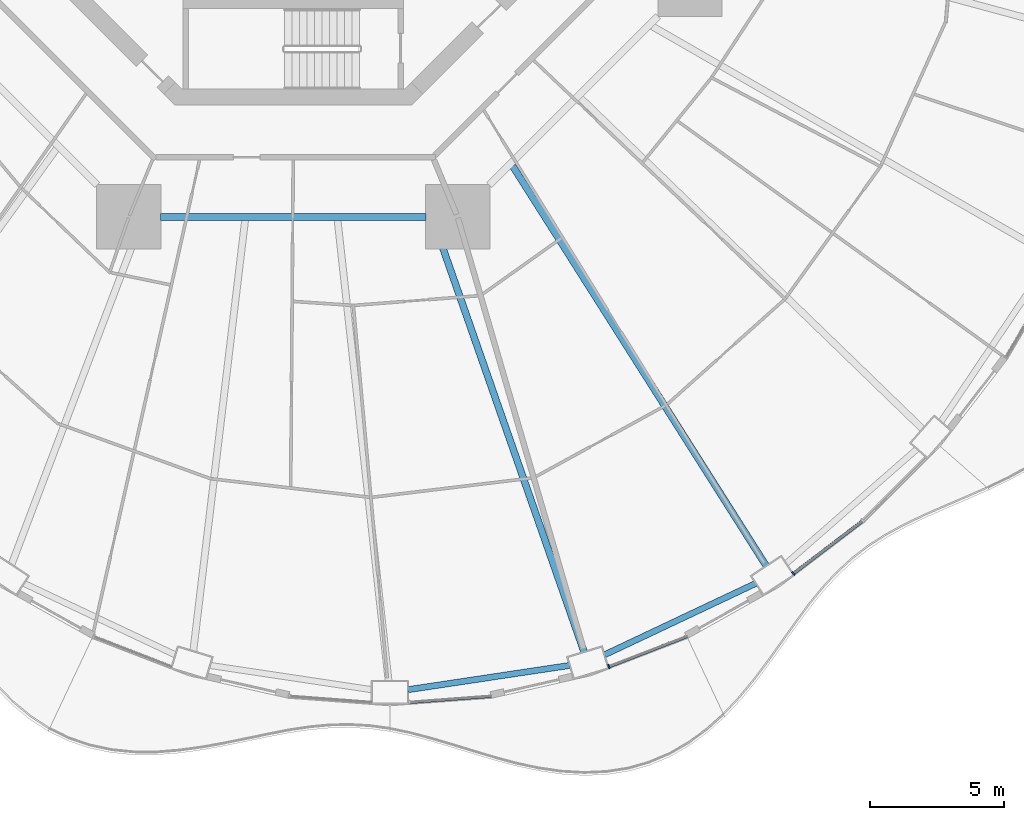
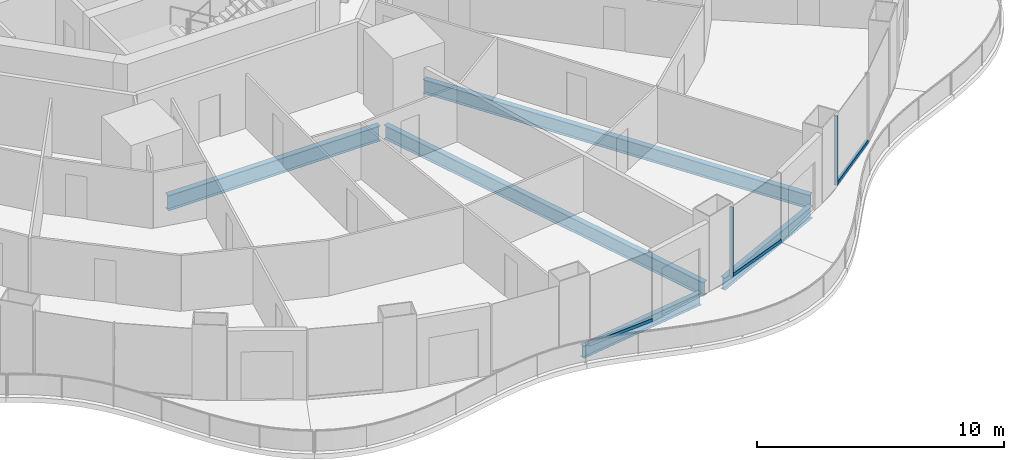
# One storey, part 4 of 23: 5 beams, 5 members, 3 elements without a shape of their own.
"""IFC4 building model written with IfcOpenShell, lengths in metres."""

from ifc_helpers import new_model, si_unit, direction, frame, origin, origin_2d, place, context, subcontext, project, spatial, rectangle, i_section, extrude, material, layer, layer_set, material_profile, profile_set, type_object, element, aggregate, save


model = new_model("IFC4")

# Units and contexts
model_context = context("Model", 3, precision=1e-05, world=origin(), true_north=direction((0.0, 1.0)))
body_context = subcontext(model_context, "Body", "Model", "MODEL_VIEW")
ifc_project = project(units=[si_unit("LENGTHUNIT", "METRE"), si_unit("AREAUNIT", "SQUARE_METRE"), si_unit("VOLUMEUNIT", "CUBIC_METRE"), si_unit("PLANEANGLEUNIT", "RADIAN"), si_unit("MASSUNIT", "GRAM", prefix="KILO")], contexts=[model_context])

# Site, building, storey
site_placement = place(None, origin())
site = spatial("IfcSite", under=ifc_project, at=site_placement, CompositionType="ELEMENT")
building_placement = place(site_placement, origin())
building = spatial("IfcBuilding", under=site, at=building_placement, Name="Nagisa Residences", CompositionType="ELEMENT")
storey_placement = place(building_placement, frame((0.0, 0.0, 56.60009765625)))
storey = spatial("IfcBuildingStorey", under=building, at=storey_placement, Name="L13", CompositionType="ELEMENT", Elevation=56.60009765625)

# Curtain wall, member
ifc_material_1 = material(Name="Concrete-coloured aluminium curtain wall system", Category="concrete")
ifc_layer = layer(ifc_material_1, 0.159912109375)
ifc_layer_set = layer_set([ifc_layer], Name="CW1 CURTAIN WALL")
curtain_wall_type = type_object("IfcCurtainWallType", Name="CW1 CURTAIN WALL", PredefinedType="NOTDEFINED", material=ifc_layer_set)
curtain_wall_1_placement = place(storey_placement, origin())
curtain_wall_1 = element("IfcCurtainWall", 1, at=curtain_wall_1_placement, inside=storey, type_object=curtain_wall_type, Name="cw:CW1:L13:38", PredefinedType="NOTDEFINED")
ifc_material_2 = material(Name="Concrete-coloured aluminium", Category="concrete")
ifc_material_profile_1 = material_profile(ifc_material_2, rectangle(XDim=0.159912109375, YDim=0.06005859375, at=origin_2d()), Name="CW1 MULLION 160x60")
ifc_profile_set_1 = profile_set([ifc_material_profile_1], Name="Concrete-coloured aluminium")
member_type_1 = type_object("IfcMemberType", Name="CW1 MULLION 160x60", PredefinedType="MULLION", material=ifc_profile_set_1)
member_1_placement = place(storey_placement, frame((11.7578125, -31.537841796875, 0.0), z_axis=(0.0, 0.0, 1.0), x_axis=(-0.360327770268, 0.932825759707, 0.0)))
member_1 = element("IfcMember", 2, at=member_1_placement, type_object=member_type_1, Name="CW1 mullion", PredefinedType="MULLION", context=body_context, shape_type="SweptSolid", body=[
    extrude(rectangle(XDim=0.159912109375, YDim=0.06005859375, at=origin_2d()), origin(), (0.0, 0.0, 1.0), 3.43994140625),
])

curtain_wall_2_placement = place(storey_placement, origin())
curtain_wall_2 = element("IfcCurtainWall", 3, at=curtain_wall_2_placement, inside=storey, type_object=curtain_wall_type, Name="cw:CW1:L13:40", PredefinedType="NOTDEFINED")
member_2_placement = place(storey_placement, frame((18.632568359375, -28.0732421875, 0.0), z_axis=(0.0, 0.0, 1.0), x_axis=(-0.605255421737, 0.79603132756, 0.0)))
member_2 = element("IfcMember", 4, at=member_2_placement, type_object=member_type_1, Name="CW1 mullion", PredefinedType="MULLION", context=body_context, shape_type="SweptSolid", body=[
    extrude(rectangle(XDim=0.159912109375, YDim=0.06005859375, at=origin_2d()), origin(), (0.0, 0.0, 1.0), 3.43994140625),
])

curtain_wall_3_placement = place(storey_placement, origin())
curtain_wall_3 = element("IfcCurtainWall", 5, at=curtain_wall_3_placement, inside=storey, type_object=curtain_wall_type, Name="cw:CW1:L13:36", PredefinedType="NOTDEFINED")
ifc_material_3 = material(Name="Concrete-coloured aluminium", Category="concrete")
ifc_material_profile_2 = material_profile(ifc_material_3, rectangle(XDim=0.1201171875, YDim=0.14990234375, at=origin_2d()), Name="CW1 TRANSOM 120x150")
ifc_profile_set_2 = profile_set([ifc_material_profile_2], Name="Concrete-coloured aluminium")
member_type_2 = type_object("IfcMemberType", Name="CW1 TRANSOM 120x150", PredefinedType="USERDEFINED", material=ifc_profile_set_2)
member_3_placement = place(storey_placement, frame((4.2919921875, -32.8681640625, 0.074951171875), z_axis=(0.997231270995, 0.07436257224, 0.0), x_axis=(-0.07436257224, 0.997231270995, 0.0)))
member_3 = element("IfcMember", 6, at=member_3_placement, type_object=member_type_2, Name="CW1 transom", ObjectType="TRANSOM", PredefinedType="USERDEFINED", context=body_context, shape_type="SweptSolid", body=[
    extrude(rectangle(XDim=0.1201171875, YDim=0.14990234375, at=origin_2d()), origin(), (0.0, 0.0, 1.0), 3.095947265625),
])
aggregate(curtain_wall_3, [member_3])

# Member
member_4_placement = place(storey_placement, frame((11.72998046875, -31.548583984375, 0.074951171875), z_axis=(0.932825366452, 0.360328788337, 0.0), x_axis=(-0.360328788337, 0.932825366452, 0.0)))
member_4 = element("IfcMember", 7, at=member_4_placement, type_object=member_type_2, Name="CW1 transom", ObjectType="TRANSOM", PredefinedType="USERDEFINED", context=body_context, shape_type="SweptSolid", body=[
    extrude(rectangle(XDim=0.1201171875, YDim=0.14990234375, at=origin_2d()), origin(), (0.0, 0.0, 1.0), 3.150634765625),
])

aggregate(curtain_wall_1, [member_1, member_4])

member_5_placement = place(storey_placement, frame((18.60888671875, -28.091552734375, 0.074951171875), z_axis=(0.79599487499, 0.605303361125, 0.0), x_axis=(-0.605303361125, 0.79599487499, 0.0)))
member_5 = element("IfcMember", 8, at=member_5_placement, type_object=member_type_2, Name="CW1 transom", ObjectType="TRANSOM", PredefinedType="USERDEFINED", context=body_context, shape_type="SweptSolid", body=[
    extrude(rectangle(XDim=0.1201171875, YDim=0.14990234375, at=origin_2d()), origin(), (0.0, 0.0, 1.0), 3.26220703125),
])

aggregate(curtain_wall_2, [member_2, member_5])

# Beams
ifc_material_4 = material(Name="Steel ASTM A572 Gr 50", Category="steel")
ifc_material_profile_3 = material_profile(ifc_material_4, i_section(OverallWidth=0.264892578125, OverallDepth=0.7529296875, WebThickness=0.01318359375, FlangeThickness=0.01708984375, at=origin_2d()), Name="W760x147")
ifc_profile_set_3 = profile_set([ifc_material_profile_3], Name="Steel ASTM A572 Gr 50")
beam_type_1 = type_object("IfcBeamType", Name="Inner ring beam W760x147", PredefinedType="BEAM", material=ifc_profile_set_3)
beam_1_placement = place(storey_placement, frame((-4.94287109375, -14.781982421875, -0.63671875), z_axis=(1.0, 0.0, 0.0), x_axis=(0.0, 1.0, 0.0)))
element("IfcBeam", 9, at=beam_1_placement, inside=storey, type_object=beam_type_1, Name="beam:L13:ib6", PredefinedType="BEAM", context=body_context, shape_type="SweptSolid", body=[
    extrude(i_section(OverallWidth=0.264892578125, OverallDepth=0.7529296875, WebThickness=0.01318359375, FlangeThickness=0.01708984375, at=origin_2d()), origin(), (0.0, 0.0, 1.0), 9.8857421875),
])
ifc_material_5 = material(Name="Steel ASTM A572 Gr 50", Category="steel")
ifc_material_profile_4 = material_profile(ifc_material_5, i_section(OverallWidth=0.22802734375, OverallDepth=0.60302734375, WebThickness=0.010498046875, FlangeThickness=0.014892578125, at=origin_2d()), Name="W610x101")
ifc_profile_set_4 = profile_set([ifc_material_profile_4], Name="Steel ASTM A572 Gr 50")
beam_type_2 = type_object("IfcBeamType", Name="Perimeter ring beam W610x101", PredefinedType="BEAM", material=ifc_profile_set_4)
beam_2_placement = place(storey_placement, frame((4.2802734375, -32.39794921875, -0.5615234375), z_axis=(0.988914559467, 0.14848566959, 0.0), x_axis=(-0.14848566959, 0.988914559467, 0.0)))
element("IfcBeam", 10, at=beam_2_placement, inside=storey, type_object=beam_type_2, Name="beam:L13:pb19", PredefinedType="BEAM", context=body_context, shape_type="SweptSolid", body=[
    extrude(i_section(OverallWidth=0.22802734375, OverallDepth=0.60302734375, WebThickness=0.010498046875, FlangeThickness=0.014892578125, at=origin_2d()), origin(), (0.0, 0.0, 1.0), 6.08349609375),
])
beam_3_placement = place(storey_placement, frame((11.597900390625, -31.098876953125, -0.5615234375), z_axis=(0.904215426643, 0.427076646774, 0.0), x_axis=(-0.427076646774, 0.904215426643, 0.0)))
element("IfcBeam", 11, at=beam_3_placement, inside=storey, type_object=beam_type_2, Name="beam:L13:pb20", PredefinedType="BEAM", context=body_context, shape_type="SweptSolid", body=[
    extrude(i_section(OverallWidth=0.22802734375, OverallDepth=0.60302734375, WebThickness=0.010498046875, FlangeThickness=0.014892578125, at=origin_2d()), origin(), (0.0, 0.0, 1.0), 6.2275390625),
])
ifc_material_6 = material(Name="Steel ASTM A572 Gr 50", Category="steel")
ifc_material_profile_5 = material_profile(ifc_material_6, i_section(OverallWidth=0.25390625, OverallDepth=0.68408203125, WebThickness=0.012451171875, FlangeThickness=0.018798828125, at=origin_2d()), Name="W690x140")
ifc_profile_set_5 = profile_set([ifc_material_profile_5], Name="Steel ASTM A572 Gr 50")
beam_type_3 = type_object("IfcBeamType", Name="Radial beam W690x140", PredefinedType="BEAM", material=ifc_profile_set_5)
beam_4_placement = place(storey_placement, frame((10.834228515625, -30.986328125, -0.60205078125), z_axis=(-0.330051195485, 0.943963033364, 0.0), x_axis=(-0.943963033364, -0.330051195485, 0.0)))
element("IfcBeam", 12, at=beam_4_placement, inside=storey, type_object=beam_type_3, Name="beam:L13:rb20", PredefinedType="BEAM", context=body_context, shape_type="SweptSolid", body=[
    extrude(i_section(OverallWidth=0.25390625, OverallDepth=0.68408203125, WebThickness=0.012451171875, FlangeThickness=0.018798828125, at=origin_2d()), origin(), (0.0, 0.0, 1.0), 17.045654296875),
])
beam_5_placement = place(storey_placement, frame((17.61962890625, -27.78271484375, -0.60205078125), z_axis=(-0.53556610664, 0.844493306911, 0.0), x_axis=(-0.844493306911, -0.53556610664, 0.0)))
element("IfcBeam", 13, at=beam_5_placement, inside=storey, type_object=beam_type_3, Name="beam:L13:rb21", PredefinedType="BEAM", context=body_context, shape_type="SweptSolid", body=[
    extrude(i_section(OverallWidth=0.25390625, OverallDepth=0.68408203125, WebThickness=0.012451171875, FlangeThickness=0.018798828125, at=origin_2d()), origin(), (0.0, 0.0, 1.0), 17.63525390625),
])

save(model, "model.ifc")
